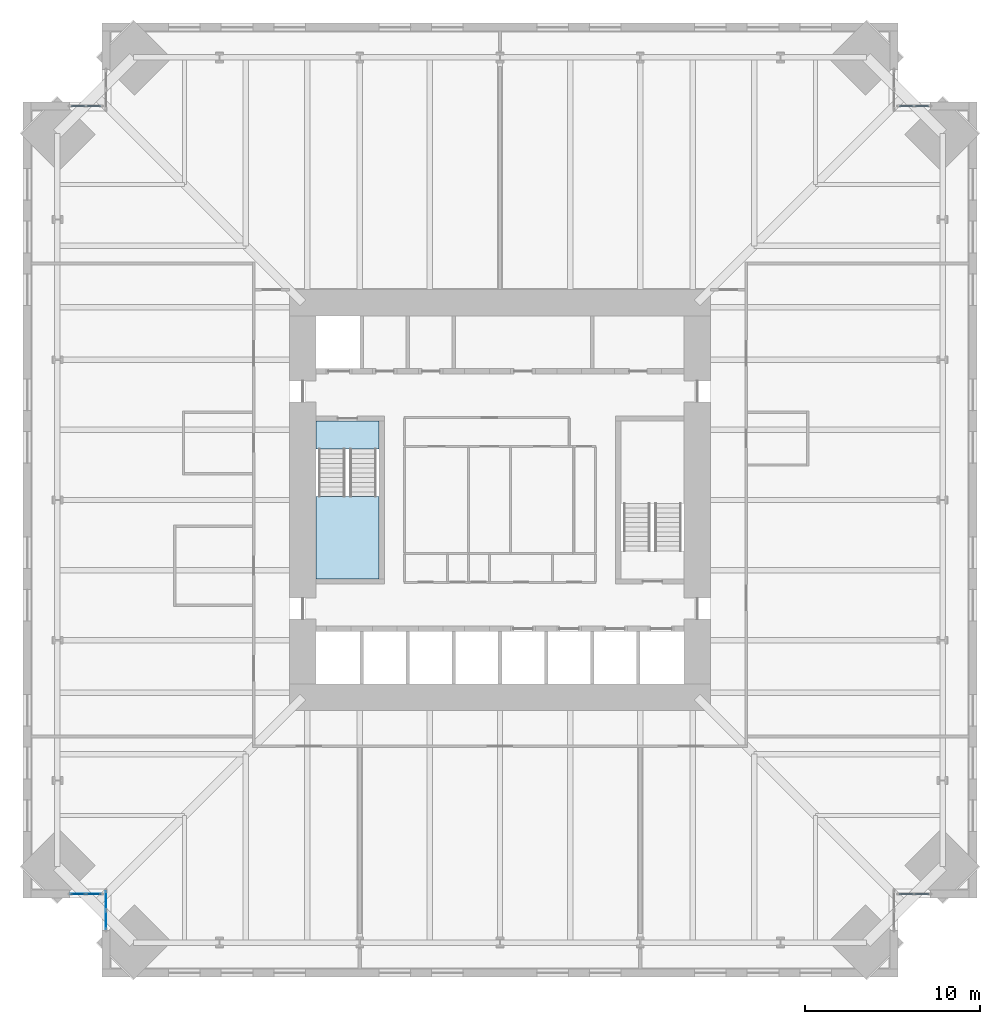
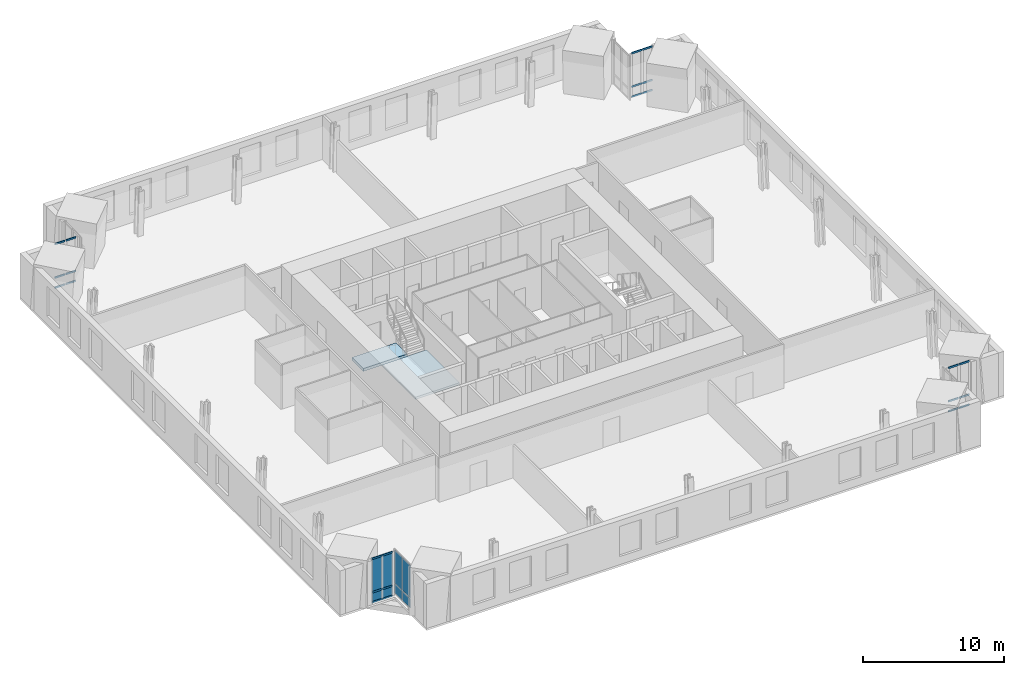
# One storey, part 9 of 16: 24 members, 8 plates, 2 slabs, 6 elements without a shape of their own.
"""IFC4 building model written with IfcOpenShell, lengths in metres."""

from ifc_helpers import new_model, si_unit, direction, frame, origin, origin_2d, place, context, subcontext, project, spatial, polyline, rectangle, hollow_rectangle, outline, extrude, material, layer, layer_set, material_profile, profile_set, type_object, element, aggregate, save


model = new_model("IFC4")

# Units and contexts
model_context = context("Model", 3, precision=1e-05, world=origin(), true_north=direction((0.0, 1.0)))
body_context = subcontext(model_context, "Body", "Model", "MODEL_VIEW")
ifc_project = project(units=[si_unit("LENGTHUNIT", "METRE"), si_unit("AREAUNIT", "SQUARE_METRE"), si_unit("VOLUMEUNIT", "CUBIC_METRE"), si_unit("PLANEANGLEUNIT", "RADIAN"), si_unit("MASSUNIT", "GRAM", prefix="KILO")], contexts=[model_context])

# Site, building, storey
site_placement = place(None, origin())
site = spatial("IfcSite", under=ifc_project, at=site_placement, CompositionType="ELEMENT")
building_placement = place(site_placement, origin())
building = spatial("IfcBuilding", under=site, at=building_placement, Name="Peilmerk Tower", CompositionType="ELEMENT")
storey_placement = place(building_placement, frame((0.0, 0.0, 139.800048828125)))
storey = spatial("IfcBuildingStorey", under=building, at=storey_placement, Name="L28", CompositionType="ELEMENT", Elevation=139.800048828125)

# Curtain wall, members
ifc_material_1 = material(Name="Aluminium stick curtain wall", Category="aluminium")
curtain_wall_type = type_object("IfcCurtainWallType", Name="CW3 stick curtain wall, 2250 module", PredefinedType="NOTDEFINED", material=ifc_material_1)
curtain_wall_1_placement = place(storey_placement, origin())
curtain_wall_1 = element("IfcCurtainWall", 1, at=curtain_wall_1_placement, inside=storey, type_object=curtain_wall_type, Name="Curtain wall CW3 NEB L28", PredefinedType="NOTDEFINED")
ifc_material_2 = material(Name="Aluminium EN AW-6063 T6", Category="aluminium")
ifc_material_profile = material_profile(ifc_material_2, hollow_rectangle(XDim=0.06494140625, YDim=0.14990234375, WallThickness=0.0029296875, at=origin_2d()), Name="AL 150x65x3")
ifc_profile_set = profile_set([ifc_material_profile], Name="Aluminium EN AW-6063 T6")
member_type = type_object("IfcMemberType", Name="CW3-T AL 150x65x3 transom", PredefinedType="USERDEFINED", material=ifc_profile_set)
member_1_placement = place(storey_placement, frame((22.764892578125, 22.47509765625, 0.032470703125), z_axis=(1.0, 0.0, 0.0), x_axis=(0.0, 1.0, 0.0)))
member_1 = element("IfcMember", 2, at=member_1_placement, type_object=member_type, Name="CW3 transom 1.1", ObjectType="TRANSOM", PredefinedType="USERDEFINED", context=body_context, shape_type="SweptSolid", body=[
    extrude(hollow_rectangle(XDim=0.06494140625, YDim=0.14990234375, WallThickness=0.0029296875, at=origin_2d()), origin(), (0.0, 0.0, 1.0), 0.822021484375),
])
member_2_placement = place(storey_placement, frame((22.764892578125, 22.47509765625, 0.89990234375), z_axis=(1.0, 0.0, 0.0), x_axis=(0.0, 1.0, 0.0)))
member_2 = element("IfcMember", 3, at=member_2_placement, type_object=member_type, Name="CW3 transom 1.2", ObjectType="TRANSOM", PredefinedType="USERDEFINED", context=body_context, shape_type="SweptSolid", body=[
    extrude(hollow_rectangle(XDim=0.06494140625, YDim=0.14990234375, WallThickness=0.0029296875, at=origin_2d()), origin(), (0.0, 0.0, 1.0), 0.822021484375),
])
member_3_placement = place(storey_placement, frame((22.764892578125, 22.47509765625, 3.79736328125), z_axis=(1.0, 0.0, 0.0), x_axis=(0.0, 1.0, 0.0)))
member_3 = element("IfcMember", 4, at=member_3_placement, type_object=member_type, Name="CW3 transom 1.3", ObjectType="TRANSOM", PredefinedType="USERDEFINED", context=body_context, shape_type="SweptSolid", body=[
    extrude(hollow_rectangle(XDim=0.06494140625, YDim=0.14990234375, WallThickness=0.0029296875, at=origin_2d()), origin(), (0.0, 0.0, 1.0), 0.822021484375),
])
member_4_placement = place(storey_placement, frame((23.65185546875, 22.47509765625, 0.032470703125), z_axis=(1.0, 0.0, 0.0), x_axis=(0.0, 1.0, 0.0)))
member_4 = element("IfcMember", 5, at=member_4_placement, type_object=member_type, Name="CW3 transom 2.1", ObjectType="TRANSOM", PredefinedType="USERDEFINED", context=body_context, shape_type="SweptSolid", body=[
    extrude(hollow_rectangle(XDim=0.06494140625, YDim=0.14990234375, WallThickness=0.0029296875, at=origin_2d()), origin(), (0.0, 0.0, 1.0), 0.82177734375),
])
member_5_placement = place(storey_placement, frame((23.65185546875, 22.47509765625, 0.89990234375), z_axis=(1.0, 0.0, 0.0), x_axis=(0.0, 1.0, 0.0)))
member_5 = element("IfcMember", 6, at=member_5_placement, type_object=member_type, Name="CW3 transom 2.2", ObjectType="TRANSOM", PredefinedType="USERDEFINED", context=body_context, shape_type="SweptSolid", body=[
    extrude(hollow_rectangle(XDim=0.06494140625, YDim=0.14990234375, WallThickness=0.0029296875, at=origin_2d()), origin(), (0.0, 0.0, 1.0), 0.82177734375),
])
member_6_placement = place(storey_placement, frame((23.65185546875, 22.47509765625, 3.79736328125), z_axis=(1.0, 0.0, 0.0), x_axis=(0.0, 1.0, 0.0)))
member_6 = element("IfcMember", 7, at=member_6_placement, type_object=member_type, Name="CW3 transom 2.3", ObjectType="TRANSOM", PredefinedType="USERDEFINED", context=body_context, shape_type="SweptSolid", body=[
    extrude(hollow_rectangle(XDim=0.06494140625, YDim=0.14990234375, WallThickness=0.0029296875, at=origin_2d()), origin(), (0.0, 0.0, 1.0), 0.82177734375),
])
aggregate(curtain_wall_1, [member_1, member_2, member_3, member_4, member_5, member_6])

curtain_wall_2_placement = place(storey_placement, origin())
curtain_wall_2 = element("IfcCurtainWall", 8, at=curtain_wall_2_placement, inside=storey, type_object=curtain_wall_type, Name="Curtain wall CW3 SEB L28", PredefinedType="NOTDEFINED")
member_7_placement = place(storey_placement, frame((22.764892578125, -22.47509765625, 0.032470703125), z_axis=(1.0, 0.0, 0.0), x_axis=(0.0, 1.0, 0.0)))
member_7 = element("IfcMember", 9, at=member_7_placement, type_object=member_type, Name="CW3 transom 1.1", ObjectType="TRANSOM", PredefinedType="USERDEFINED", context=body_context, shape_type="SweptSolid", body=[
    extrude(hollow_rectangle(XDim=0.06494140625, YDim=0.14990234375, WallThickness=0.0029296875, at=origin_2d()), origin(), (0.0, 0.0, 1.0), 0.822021484375),
])
member_8_placement = place(storey_placement, frame((22.764892578125, -22.47509765625, 0.89990234375), z_axis=(1.0, 0.0, 0.0), x_axis=(0.0, 1.0, 0.0)))
member_8 = element("IfcMember", 10, at=member_8_placement, type_object=member_type, Name="CW3 transom 1.2", ObjectType="TRANSOM", PredefinedType="USERDEFINED", context=body_context, shape_type="SweptSolid", body=[
    extrude(hollow_rectangle(XDim=0.06494140625, YDim=0.14990234375, WallThickness=0.0029296875, at=origin_2d()), origin(), (0.0, 0.0, 1.0), 0.822021484375),
])
member_9_placement = place(storey_placement, frame((22.764892578125, -22.47509765625, 3.79736328125), z_axis=(1.0, 0.0, 0.0), x_axis=(0.0, 1.0, 0.0)))
member_9 = element("IfcMember", 11, at=member_9_placement, type_object=member_type, Name="CW3 transom 1.3", ObjectType="TRANSOM", PredefinedType="USERDEFINED", context=body_context, shape_type="SweptSolid", body=[
    extrude(hollow_rectangle(XDim=0.06494140625, YDim=0.14990234375, WallThickness=0.0029296875, at=origin_2d()), origin(), (0.0, 0.0, 1.0), 0.822021484375),
])
member_10_placement = place(storey_placement, frame((23.65185546875, -22.47509765625, 0.032470703125), z_axis=(1.0, 0.0, 0.0), x_axis=(0.0, 1.0, 0.0)))
member_10 = element("IfcMember", 12, at=member_10_placement, type_object=member_type, Name="CW3 transom 2.1", ObjectType="TRANSOM", PredefinedType="USERDEFINED", context=body_context, shape_type="SweptSolid", body=[
    extrude(hollow_rectangle(XDim=0.06494140625, YDim=0.14990234375, WallThickness=0.0029296875, at=origin_2d()), origin(), (0.0, 0.0, 1.0), 0.82177734375),
])
member_11_placement = place(storey_placement, frame((23.65185546875, -22.47509765625, 0.89990234375), z_axis=(1.0, 0.0, 0.0), x_axis=(0.0, 1.0, 0.0)))
member_11 = element("IfcMember", 13, at=member_11_placement, type_object=member_type, Name="CW3 transom 2.2", ObjectType="TRANSOM", PredefinedType="USERDEFINED", context=body_context, shape_type="SweptSolid", body=[
    extrude(hollow_rectangle(XDim=0.06494140625, YDim=0.14990234375, WallThickness=0.0029296875, at=origin_2d()), origin(), (0.0, 0.0, 1.0), 0.82177734375),
])
member_12_placement = place(storey_placement, frame((23.65185546875, -22.47509765625, 3.79736328125), z_axis=(1.0, 0.0, 0.0), x_axis=(0.0, 1.0, 0.0)))
member_12 = element("IfcMember", 14, at=member_12_placement, type_object=member_type, Name="CW3 transom 2.3", ObjectType="TRANSOM", PredefinedType="USERDEFINED", context=body_context, shape_type="SweptSolid", body=[
    extrude(hollow_rectangle(XDim=0.06494140625, YDim=0.14990234375, WallThickness=0.0029296875, at=origin_2d()), origin(), (0.0, 0.0, 1.0), 0.82177734375),
])
aggregate(curtain_wall_2, [member_7, member_8, member_9, member_10, member_11, member_12])

curtain_wall_3_placement = place(storey_placement, origin())
curtain_wall_3 = element("IfcCurtainWall", 15, at=curtain_wall_3_placement, inside=storey, type_object=curtain_wall_type, Name="Curtain wall CW3 SWB L28", PredefinedType="NOTDEFINED")
member_13_placement = place(storey_placement, frame((-22.764892578125, -22.47509765625, 0.032470703125), z_axis=(-1.0, 0.0, 0.0), x_axis=(0.0, -1.0, 0.0)))
member_13 = element("IfcMember", 16, at=member_13_placement, type_object=member_type, Name="CW3 transom 1.1", ObjectType="TRANSOM", PredefinedType="USERDEFINED", context=body_context, shape_type="SweptSolid", body=[
    extrude(hollow_rectangle(XDim=0.06494140625, YDim=0.14990234375, WallThickness=0.0029296875, at=origin_2d()), origin(), (0.0, 0.0, 1.0), 0.822021484375),
])
member_14_placement = place(storey_placement, frame((-22.764892578125, -22.47509765625, 0.89990234375), z_axis=(-1.0, 0.0, 0.0), x_axis=(0.0, -1.0, 0.0)))
member_14 = element("IfcMember", 17, at=member_14_placement, type_object=member_type, Name="CW3 transom 1.2", ObjectType="TRANSOM", PredefinedType="USERDEFINED", context=body_context, shape_type="SweptSolid", body=[
    extrude(hollow_rectangle(XDim=0.06494140625, YDim=0.14990234375, WallThickness=0.0029296875, at=origin_2d()), origin(), (0.0, 0.0, 1.0), 0.822021484375),
])
member_15_placement = place(storey_placement, frame((-22.764892578125, -22.47509765625, 3.79736328125), z_axis=(-1.0, 0.0, 0.0), x_axis=(0.0, -1.0, 0.0)))
member_15 = element("IfcMember", 18, at=member_15_placement, type_object=member_type, Name="CW3 transom 1.3", ObjectType="TRANSOM", PredefinedType="USERDEFINED", context=body_context, shape_type="SweptSolid", body=[
    extrude(hollow_rectangle(XDim=0.06494140625, YDim=0.14990234375, WallThickness=0.0029296875, at=origin_2d()), origin(), (0.0, 0.0, 1.0), 0.822021484375),
])
member_16_placement = place(storey_placement, frame((-23.65185546875, -22.47509765625, 0.032470703125), z_axis=(-1.0, 0.0, 0.0), x_axis=(0.0, -1.0, 0.0)))
member_16 = element("IfcMember", 19, at=member_16_placement, type_object=member_type, Name="CW3 transom 2.1", ObjectType="TRANSOM", PredefinedType="USERDEFINED", context=body_context, shape_type="SweptSolid", body=[
    extrude(hollow_rectangle(XDim=0.06494140625, YDim=0.14990234375, WallThickness=0.0029296875, at=origin_2d()), origin(), (0.0, 0.0, 1.0), 0.82177734375),
])
member_17_placement = place(storey_placement, frame((-23.65185546875, -22.47509765625, 0.89990234375), z_axis=(-1.0, 0.0, 0.0), x_axis=(0.0, -1.0, 0.0)))
member_17 = element("IfcMember", 20, at=member_17_placement, type_object=member_type, Name="CW3 transom 2.2", ObjectType="TRANSOM", PredefinedType="USERDEFINED", context=body_context, shape_type="SweptSolid", body=[
    extrude(hollow_rectangle(XDim=0.06494140625, YDim=0.14990234375, WallThickness=0.0029296875, at=origin_2d()), origin(), (0.0, 0.0, 1.0), 0.82177734375),
])
member_18_placement = place(storey_placement, frame((-23.65185546875, -22.47509765625, 3.79736328125), z_axis=(-1.0, 0.0, 0.0), x_axis=(0.0, -1.0, 0.0)))
member_18 = element("IfcMember", 21, at=member_18_placement, type_object=member_type, Name="CW3 transom 2.3", ObjectType="TRANSOM", PredefinedType="USERDEFINED", context=body_context, shape_type="SweptSolid", body=[
    extrude(hollow_rectangle(XDim=0.06494140625, YDim=0.14990234375, WallThickness=0.0029296875, at=origin_2d()), origin(), (0.0, 0.0, 1.0), 0.82177734375),
])

curtain_wall_4_placement = place(storey_placement, origin())
curtain_wall_4 = element("IfcCurtainWall", 22, at=curtain_wall_4_placement, inside=storey, type_object=curtain_wall_type, Name="Curtain wall CW3 NWB L28", PredefinedType="NOTDEFINED")
member_19_placement = place(storey_placement, frame((-22.764892578125, 22.47509765625, 0.032470703125), z_axis=(-1.0, 0.0, 0.0), x_axis=(0.0, -1.0, 0.0)))
member_19 = element("IfcMember", 23, at=member_19_placement, type_object=member_type, Name="CW3 transom 1.1", ObjectType="TRANSOM", PredefinedType="USERDEFINED", context=body_context, shape_type="SweptSolid", body=[
    extrude(hollow_rectangle(XDim=0.06494140625, YDim=0.14990234375, WallThickness=0.0029296875, at=origin_2d()), origin(), (0.0, 0.0, 1.0), 0.822021484375),
])
member_20_placement = place(storey_placement, frame((-22.764892578125, 22.47509765625, 0.89990234375), z_axis=(-1.0, 0.0, 0.0), x_axis=(0.0, -1.0, 0.0)))
member_20 = element("IfcMember", 24, at=member_20_placement, type_object=member_type, Name="CW3 transom 1.2", ObjectType="TRANSOM", PredefinedType="USERDEFINED", context=body_context, shape_type="SweptSolid", body=[
    extrude(hollow_rectangle(XDim=0.06494140625, YDim=0.14990234375, WallThickness=0.0029296875, at=origin_2d()), origin(), (0.0, 0.0, 1.0), 0.822021484375),
])
member_21_placement = place(storey_placement, frame((-22.764892578125, 22.47509765625, 3.79736328125), z_axis=(-1.0, 0.0, 0.0), x_axis=(0.0, -1.0, 0.0)))
member_21 = element("IfcMember", 25, at=member_21_placement, type_object=member_type, Name="CW3 transom 1.3", ObjectType="TRANSOM", PredefinedType="USERDEFINED", context=body_context, shape_type="SweptSolid", body=[
    extrude(hollow_rectangle(XDim=0.06494140625, YDim=0.14990234375, WallThickness=0.0029296875, at=origin_2d()), origin(), (0.0, 0.0, 1.0), 0.822021484375),
])
member_22_placement = place(storey_placement, frame((-23.65185546875, 22.47509765625, 0.032470703125), z_axis=(-1.0, 0.0, 0.0), x_axis=(0.0, -1.0, 0.0)))
member_22 = element("IfcMember", 26, at=member_22_placement, type_object=member_type, Name="CW3 transom 2.1", ObjectType="TRANSOM", PredefinedType="USERDEFINED", context=body_context, shape_type="SweptSolid", body=[
    extrude(hollow_rectangle(XDim=0.06494140625, YDim=0.14990234375, WallThickness=0.0029296875, at=origin_2d()), origin(), (0.0, 0.0, 1.0), 0.82177734375),
])
member_23_placement = place(storey_placement, frame((-23.65185546875, 22.47509765625, 0.89990234375), z_axis=(-1.0, 0.0, 0.0), x_axis=(0.0, -1.0, 0.0)))
member_23 = element("IfcMember", 27, at=member_23_placement, type_object=member_type, Name="CW3 transom 2.2", ObjectType="TRANSOM", PredefinedType="USERDEFINED", context=body_context, shape_type="SweptSolid", body=[
    extrude(hollow_rectangle(XDim=0.06494140625, YDim=0.14990234375, WallThickness=0.0029296875, at=origin_2d()), origin(), (0.0, 0.0, 1.0), 0.82177734375),
])
member_24_placement = place(storey_placement, frame((-23.65185546875, 22.47509765625, 3.79736328125), z_axis=(-1.0, 0.0, 0.0), x_axis=(0.0, -1.0, 0.0)))
member_24 = element("IfcMember", 28, at=member_24_placement, type_object=member_type, Name="CW3 transom 2.3", ObjectType="TRANSOM", PredefinedType="USERDEFINED", context=body_context, shape_type="SweptSolid", body=[
    extrude(hollow_rectangle(XDim=0.06494140625, YDim=0.14990234375, WallThickness=0.0029296875, at=origin_2d()), origin(), (0.0, 0.0, 1.0), 0.82177734375),
])
aggregate(curtain_wall_4, [member_19, member_20, member_21, member_22, member_23, member_24])

# Curtain wall, plates
curtain_wall_5_placement = place(storey_placement, origin())
curtain_wall_5 = element("IfcCurtainWall", 29, at=curtain_wall_5_placement, inside=storey, type_object=curtain_wall_type, Name="Curtain wall CW3 SWA L28", PredefinedType="NOTDEFINED")
ifc_material_3 = material(Name="Clear insulated glazing unit", Category="glass")
ifc_layer_1 = layer(ifc_material_3, 0.028076171875)
ifc_layer_set_1 = layer_set([ifc_layer_1], Name="Clear insulated glazing unit")
plate_type = type_object("IfcPlateType", Name="CW3-P 28 glazed panel", PredefinedType="CURTAIN_PANEL", material=ifc_layer_set_1)
plate_1_placement = place(storey_placement, frame((-22.47509765625, -22.83837890625, 0.06494140625), z_axis=(0.0, 0.0, 1.0), x_axis=(0.0, -1.0, 0.0)))
plate_1 = element("IfcPlate", 30, at=plate_1_placement, type_object=plate_type, Name="CW3 panel 1.1", PredefinedType="CURTAIN_PANEL", context=body_context, shape_type="SweptSolid", body=[
    extrude(rectangle(XDim=1.046875, YDim=0.028076171875, at=origin_2d()), origin(), (0.0, 0.0, 1.0), 0.802490234375),
])
plate_2_placement = place(storey_placement, frame((-22.47509765625, -22.83837890625, 0.932373046875), z_axis=(0.0, 0.0, 1.0), x_axis=(0.0, -1.0, 0.0)))
plate_2 = element("IfcPlate", 31, at=plate_2_placement, type_object=plate_type, Name="CW3 panel 1.2", PredefinedType="CURTAIN_PANEL", context=body_context, shape_type="SweptSolid", body=[
    extrude(rectangle(XDim=1.046875, YDim=0.028076171875, at=origin_2d()), origin(), (0.0, 0.0, 1.0), 2.83251953125),
])
plate_3_placement = place(storey_placement, frame((-22.47509765625, -23.9501953125, 0.06494140625), z_axis=(0.0, 0.0, 1.0), x_axis=(0.0, -1.0, 0.0)))
plate_3 = element("IfcPlate", 32, at=plate_3_placement, type_object=plate_type, Name="CW3 panel 2.1", PredefinedType="CURTAIN_PANEL", context=body_context, shape_type="SweptSolid", body=[
    extrude(rectangle(XDim=1.046875, YDim=0.028076171875, at=origin_2d()), origin(), (0.0, 0.0, 1.0), 0.802490234375),
])
plate_4_placement = place(storey_placement, frame((-22.47509765625, -23.9501953125, 0.932373046875), z_axis=(0.0, 0.0, 1.0), x_axis=(0.0, -1.0, 0.0)))
plate_4 = element("IfcPlate", 33, at=plate_4_placement, type_object=plate_type, Name="CW3 panel 2.2", PredefinedType="CURTAIN_PANEL", context=body_context, shape_type="SweptSolid", body=[
    extrude(rectangle(XDim=1.046875, YDim=0.028076171875, at=origin_2d()), origin(), (0.0, 0.0, 1.0), 2.83251953125),
])
aggregate(curtain_wall_5, [plate_1, plate_2, plate_3, plate_4])

# Plate
plate_5_placement = place(storey_placement, frame((-23.176025390625, -22.47509765625, 0.06494140625), z_axis=(0.0, 0.0, 1.0), x_axis=(-1.0, 0.0, 0.0)))
plate_5 = element("IfcPlate", 34, at=plate_5_placement, type_object=plate_type, Name="CW3 panel 1.1", PredefinedType="CURTAIN_PANEL", context=body_context, shape_type="SweptSolid", body=[
    extrude(rectangle(XDim=0.82177734375, YDim=0.028076171875, at=origin_2d()), origin(), (0.0, 0.0, 1.0), 0.802490234375),
])

plate_6_placement = place(storey_placement, frame((-23.176025390625, -22.47509765625, 0.932373046875), z_axis=(0.0, 0.0, 1.0), x_axis=(-1.0, 0.0, 0.0)))
plate_6 = element("IfcPlate", 35, at=plate_6_placement, type_object=plate_type, Name="CW3 panel 1.2", PredefinedType="CURTAIN_PANEL", context=body_context, shape_type="SweptSolid", body=[
    extrude(rectangle(XDim=0.82177734375, YDim=0.028076171875, at=origin_2d()), origin(), (0.0, 0.0, 1.0), 2.83251953125),
])

plate_7_placement = place(storey_placement, frame((-24.062744140625, -22.47509765625, 0.06494140625), z_axis=(0.0, 0.0, 1.0), x_axis=(-1.0, 0.0, 0.0)))
plate_7 = element("IfcPlate", 36, at=plate_7_placement, type_object=plate_type, Name="CW3 panel 2.1", PredefinedType="CURTAIN_PANEL", context=body_context, shape_type="SweptSolid", body=[
    extrude(rectangle(XDim=0.82177734375, YDim=0.028076171875, at=origin_2d()), origin(), (0.0, 0.0, 1.0), 0.802490234375),
])

plate_8_placement = place(storey_placement, frame((-24.062744140625, -22.47509765625, 0.932373046875), z_axis=(0.0, 0.0, 1.0), x_axis=(-1.0, 0.0, 0.0)))
plate_8 = element("IfcPlate", 37, at=plate_8_placement, type_object=plate_type, Name="CW3 panel 2.2", PredefinedType="CURTAIN_PANEL", context=body_context, shape_type="SweptSolid", body=[
    extrude(rectangle(XDim=0.82177734375, YDim=0.028076171875, at=origin_2d()), origin(), (0.0, 0.0, 1.0), 2.83251953125),
])

aggregate(curtain_wall_3, [member_13, member_14, member_15, plate_5, plate_6, member_16, member_17, member_18, plate_7, plate_8])

# Stair, slabs
ifc_material_4 = material(Name="Precast concrete C45/55", Category="concrete")
stair_type = type_object("IfcStairType", Name="ST1 22 risers of 181.8", PredefinedType="HALF_TURN_STAIR", material=ifc_material_4)
stair_placement = place(storey_placement, origin())
stair = element("IfcStair", 38, at=stair_placement, inside=storey, type_object=stair_type, Name="Stair 1 L28 to L29", PredefinedType="HALF_TURN_STAIR")
ifc_material_5 = material(Name="Concrete C35/45", Category="concrete")
ifc_layer_2 = layer(ifc_material_5, 0.199951171875)
ifc_layer_set_2 = layer_set([ifc_layer_2], Name="Concrete C35/45")
slab_type_1 = type_object("IfcSlabType", Name="SL1 200 concrete stair landing", PredefinedType="LANDING", material=ifc_layer_set_2)
slab_1_placement = place(storey_placement, frame((0.0, 0.0, 1.800048828125)))
slab_1 = element("IfcSlab", 39, at=slab_1_placement, type_object=slab_type_1, Name="ST1 landing 1", PredefinedType="LANDING", context=body_context, shape_type="SweptSolid", body=[
    extrude(outline(polyline([(-10.5, -4.5), (-6.89990234375, -4.5), (-6.89990234375, 0.199951171875), (-10.5, 0.199951171875), (-10.5, -4.5)])), origin(), (0.0, 0.0, 1.0), 0.199951171875),
])
ifc_layer_3 = layer(ifc_material_5, 0.25)
ifc_layer_set_3 = layer_set([ifc_layer_3], Name="Concrete C35/45")
slab_type_2 = type_object("IfcSlabType", Name="SL2 250 concrete floor landing", PredefinedType="LANDING", material=ifc_layer_set_3)
slab_2_placement = place(storey_placement, frame((0.0, 0.0, -0.25)))
slab_2 = element("IfcSlab", 40, at=slab_2_placement, type_object=slab_type_2, Name="ST1 floor landing", PredefinedType="LANDING", context=body_context, shape_type="SweptSolid", body=[
    extrude(outline(polyline([(-10.5, 2.89990234375), (-6.89990234375, 2.89990234375), (-6.89990234375, 4.5), (-10.5, 4.5), (-10.5, 2.89990234375)])), origin(), (0.0, 0.0, 1.0), 0.25),
])
aggregate(stair, [slab_1, slab_2])

save(model, "model.ifc")
